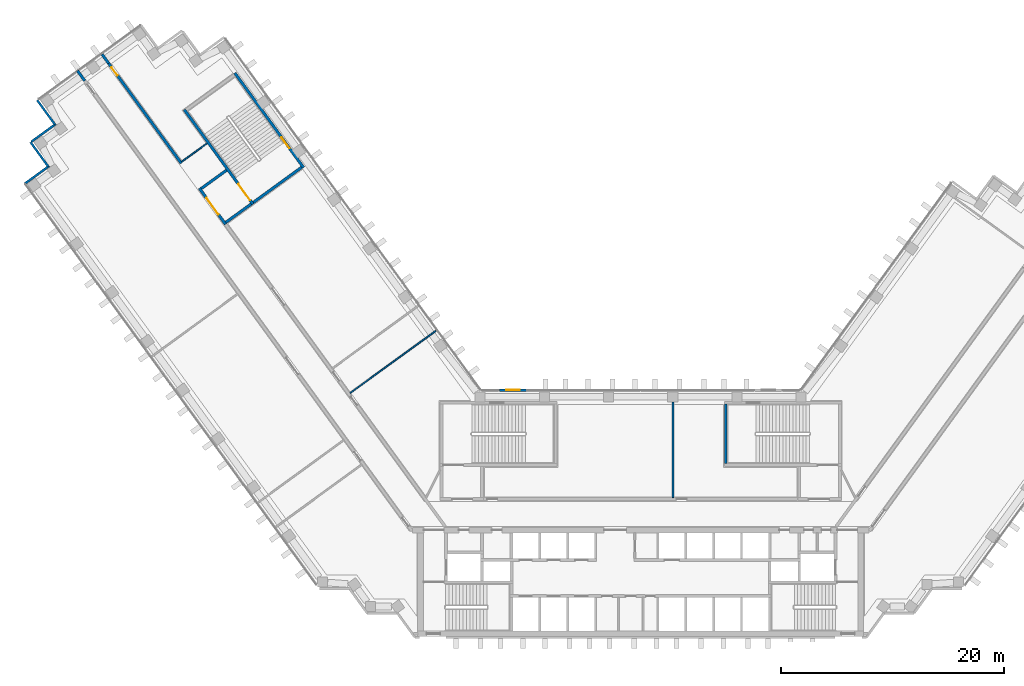
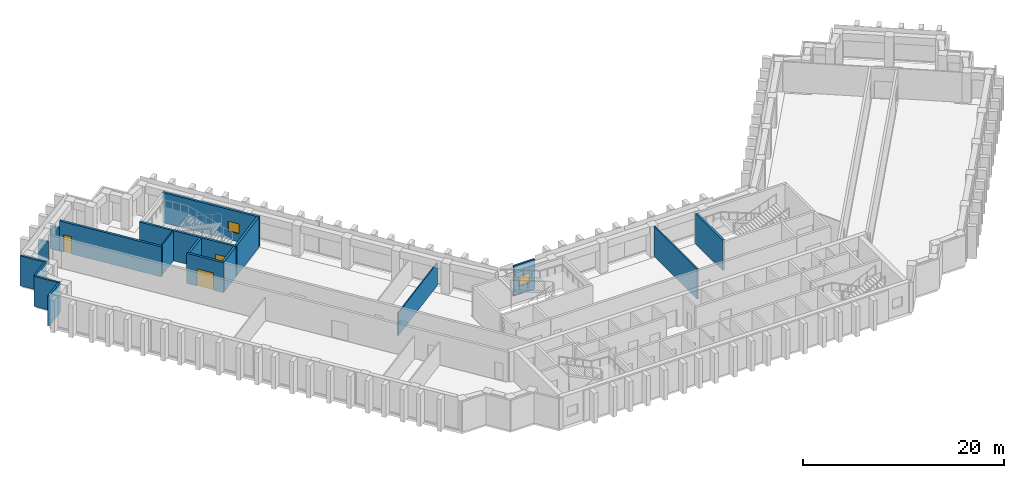
# One storey, part 8 of 13: 18 walls, 3 doors, 2 windows, 5 openings.
"""IFC4 building model written with IfcOpenShell, lengths in metres."""

from ifc_helpers import new_model, si_unit, direction, frame, frame_2d, origin, place, context, subcontext, project, spatial, rectangle, extrude, material, layer, layer_set, type_object, element, fill, save


model = new_model("IFC4")

# Units and contexts
model_context = context("Model", 3, precision=1e-05, world=origin(), true_north=direction((0.0, 1.0)))
body_context = subcontext(model_context, "Body", "Model", "MODEL_VIEW")
ifc_project = project(units=[si_unit("LENGTHUNIT", "METRE"), si_unit("AREAUNIT", "SQUARE_METRE"), si_unit("VOLUMEUNIT", "CUBIC_METRE"), si_unit("PLANEANGLEUNIT", "RADIAN"), si_unit("MASSUNIT", "GRAM", prefix="KILO")], contexts=[model_context])

# Site, building, storey
site_placement = place(None, origin())
site = spatial("IfcSite", under=ifc_project, at=site_placement, CompositionType="ELEMENT")
building_placement = place(site_placement, origin())
building = spatial("IfcBuilding", under=site, at=building_placement, Name="Quipu Civic Tower", CompositionType="ELEMENT")
storey_placement = place(building_placement, frame((0.0, 0.0, 85.0)))
storey = spatial("IfcBuildingStorey", under=building, at=storey_placement, Name="L19", CompositionType="ELEMENT", Elevation=85.0)

# Walls
ifc_material_1 = material(Name="Double gypsum plasterboard with mineral wool")
ifc_layer_1 = layer(ifc_material_1, 0.14990234375)
ifc_layer_set_1 = layer_set([ifc_layer_1], Name="Double gypsum plasterboard with mineral wool")
wall_type_1 = type_object("IfcWallType", Name="Acoustic partition 150 plasterboard", PredefinedType="PARTITIONING", material=ifc_layer_set_1)
wall_1_placement = place(storey_placement, frame((2.89892578125, 10.044921875, 0.0), z_axis=(0.0, 0.0, 1.0), x_axis=(0.0, -1.0, 0.0)))
element("IfcWall", 1, at=wall_1_placement, inside=storey, type_object=wall_type_1, Name="Partition P01", PredefinedType="PARTITIONING", context=body_context, shape_type="SweptSolid", body=[
    extrude(rectangle(XDim=8.594970703125, YDim=0.14990234375, at=frame_2d((4.29736328125, 0.0))), origin(), (0.0, 0.0, 1.0), 3.64990234375),
])
ifc_material_2 = material(Name="Concrete C70/85", Category="concrete")
ifc_layer_2 = layer(ifc_material_2, 0.25)
ifc_layer_set_2 = layer_set([ifc_layer_2], Name="Concrete C70/85")
wall_type_2 = type_object("IfcWallType", Name="Core wall 250", PredefinedType="SHEAR", material=ifc_layer_set_2)
wall_2_placement = place(storey_placement, frame((7.625, 4.5, 0.0), z_axis=(0.0, 0.0, 1.0), x_axis=(0.0, 1.0, 0.0)))
element("IfcWall", 2, at=wall_2_placement, inside=storey, type_object=wall_type_2, Name="Core wall", PredefinedType="SHEAR", context=body_context, shape_type="SweptSolid", body=[
    extrude(rectangle(XDim=5.35009765625, YDim=0.25, at=frame_2d((2.675048828125, 0.0))), origin(), (0.0, 0.0, 1.0), 3.64990234375),
])

# Wall, opening, window
wall_3_placement = place(storey_placement, frame((-30.239501953125, 31.06396484375, 0.0), z_axis=(0.0, 0.0, 1.0), x_axis=(-0.587795589702, 0.809009483706, 0.0)))
wall_3 = element("IfcWall", 3, at=wall_3_placement, inside=storey, type_object=wall_type_2, Name="Core wall", PredefinedType="SHEAR", context=body_context, shape_type="SweptSolid", body=[
    extrude(rectangle(XDim=10.5, YDim=0.25, at=frame_2d((5.25, 0.0))), origin(), (0.0, 0.0, 1.0), 3.64990234375),
])
opening_1_placement = place(wall_3_placement, frame((2.14990234375, 0.0, 1.0)))
opening_1 = element("IfcOpeningElement", 4, at=opening_1_placement, cuts=wall_3, Name="Opening SV-6", PredefinedType="OPENING", context=body_context, shape_type="SweptSolid", body=[
    extrude(rectangle(XDim=1.199951171875, YDim=1.199951171875, at=frame_2d((0.60009765625, 0.60009765625))), frame((0.0, 0.135009765625, 0.0), z_axis=(0.0, -1.0, 0.0), x_axis=(1.0, 0.0, 0.0)), (0.0, 0.0, 1.0), 0.27001953125),
])
ifc_material_3 = material(Name="Aluminium louvre", Category="aluminium")
window_type_1 = type_object("IfcWindowType", Name="Stair ventilation louvre 1200 x 1200", PartitioningType="SINGLE_PANEL", PredefinedType="WINDOW", material=ifc_material_3)
window_1_placement = place(opening_1_placement, origin())
window_1 = element("IfcWindow", 5, at=window_1_placement, inside=storey, type_object=window_type_1, Name="Stair ventilation opening", OverallHeight=1.199951171875, OverallWidth=1.199951171875, PartitioningType="SINGLE_PANEL", PredefinedType="WINDOW", context=body_context, shape_type="SweptSolid", body=[
    extrude(rectangle(XDim=1.199951171875, YDim=1.199951171875, at=frame_2d((0.60009765625, 0.60009765625))), frame((0.0, 0.030029296875, 0.0), z_axis=(0.0, -1.0, 0.0), x_axis=(1.0, 0.0, 0.0)), (0.0, 0.0, 1.0), 0.06005859375),
])
fill(opening_1, window_1)

# Wall
wall_4_placement = place(storey_placement, frame((-30.414306640625, 31.091796875, 0.0), z_axis=(0.0, 0.0, 1.0), x_axis=(-0.8089984606, -0.587810760999, 0.0)))
element("IfcWall", 6, at=wall_4_placement, inside=storey, type_object=wall_type_2, Name="Core wall", PredefinedType="SHEAR", context=body_context, shape_type="SweptSolid", body=[
    extrude(rectangle(XDim=5.35009765625, YDim=0.25, at=frame_2d((2.675048828125, 0.0))), origin(), (0.0, 0.0, 1.0), 3.64990234375),
])

# Wall, opening, door
wall_5_placement = place(storey_placement, frame((-40.94189453125, 36.26708984375, 0.0), z_axis=(0.0, 0.0, 1.0), x_axis=(0.587795589702, -0.809009483706, 0.0)))
wall_5 = element("IfcWall", 7, at=wall_5_placement, inside=storey, type_object=wall_type_2, Name="Core wall", PredefinedType="SHEAR", context=body_context, shape_type="SweptSolid", body=[
    extrude(rectangle(XDim=10.5, YDim=0.25, at=frame_2d((5.25, 0.0))), origin(), (0.0, 0.0, 1.0), 3.64990234375),
])
opening_2_placement = place(wall_5_placement, frame((8.25, 0.0, 0.0)))
opening_2 = element("IfcOpeningElement", 8, at=opening_2_placement, cuts=wall_5, Name="Opening CD-19", PredefinedType="OPENING", context=body_context, shape_type="SweptSolid", body=[
    extrude(rectangle(XDim=1.800048828125, YDim=2.10009765625, at=frame_2d((0.89990234375, 1.050048828125))), frame((0.0, 0.135009765625, 0.0), z_axis=(0.0, -1.0, 0.0), x_axis=(1.0, 0.0, 0.0)), (0.0, 0.0, 1.0), 0.27001953125),
])
ifc_material_4 = material(Name="Fire rated steel door", Category="steel")
door_type_1 = type_object("IfcDoorType", Name="Fire door FD90 double 1800 x 2100", OperationType="NOTDEFINED", PredefinedType="DOOR", material=ifc_material_4)
door_1_placement = place(opening_2_placement, origin())
door_1 = element("IfcDoor", 9, at=door_1_placement, inside=storey, type_object=door_type_1, Name="Door", OperationType="DOUBLE_DOOR_SINGLE_SWING", OverallHeight=2.10009765625, OverallWidth=1.800048828125, PredefinedType="DOOR", context=body_context, shape_type="SweptSolid", body=[
    extrude(rectangle(XDim=1.800048828125, YDim=2.10009765625, at=frame_2d((0.89990234375, 1.050048828125))), frame((0.0, 0.02490234375, 0.0), z_axis=(0.0, -1.0, 0.0), x_axis=(1.0, 0.0, 0.0)), (0.0, 0.0, 1.0), 0.050048828125),
])
fill(opening_2, door_1)

# Walls
for number, where, z_axis, x_axis, name in (
    (10, (-34.944580078125, 27.800048828125, 0.0), (0.0, 0.0, 1.0), (-0.809041377956, -0.587751689708, 0.0), "Core wall"),
    (11, (-37.14892578125, 30.833984375, 0.0), (0.0, 0.0, 1.0), (-0.808969789945, -0.58785021813, 0.0), "Core wall"),
):
    element("IfcWall", number, at=place(storey_placement, frame(where, z_axis=z_axis, x_axis=x_axis)), inside=storey, type_object=wall_type_2, Name=name, PredefinedType="SHEAR", context=body_context, shape_type="SweptSolid", body=[
        extrude(rectangle(XDim=2.800048828125, YDim=0.25, at=frame_2d((1.39990234375, 0.0))), origin(), (0.0, 0.0, 1.0), 3.64990234375),
    ])

# Wall, opening, door
wall_6_placement = place(storey_placement, frame((-39.588623046875, 29.2158203125, 0.0), z_axis=(0.0, 0.0, 1.0), x_axis=(0.587772420479, -0.809026317077, 0.0)))
wall_6 = element("IfcWall", 12, at=wall_6_placement, inside=storey, type_object=wall_type_2, Name="Core wall", PredefinedType="SHEAR", context=body_context, shape_type="SweptSolid", body=[
    extrude(rectangle(XDim=4.0, YDim=0.25, at=frame_2d((2.0, 0.0))), origin(), (0.0, 0.0, 1.0), 3.64990234375),
])
opening_3_placement = place(wall_6_placement, frame((1.10009765625, 0.0, 0.0)))
opening_3 = element("IfcOpeningElement", 13, at=opening_3_placement, cuts=wall_6, Name="Opening CD-20", PredefinedType="OPENING", context=body_context, shape_type="SweptSolid", body=[
    extrude(rectangle(XDim=1.800048828125, YDim=2.10009765625, at=frame_2d((0.89990234375, 1.050048828125))), frame((0.0, 0.135009765625, 0.0), z_axis=(0.0, -1.0, 0.0), x_axis=(1.0, 0.0, 0.0)), (0.0, 0.0, 1.0), 0.27001953125),
])
door_2_placement = place(opening_3_placement, origin())
door_2 = element("IfcDoor", 14, at=door_2_placement, inside=storey, type_object=door_type_1, Name="Lobby door", OperationType="DOUBLE_DOOR_SINGLE_SWING", OverallHeight=2.10009765625, OverallWidth=1.800048828125, PredefinedType="DOOR", context=body_context, shape_type="SweptSolid", body=[
    extrude(rectangle(XDim=1.800048828125, YDim=2.10009765625, at=frame_2d((0.89990234375, 1.050048828125))), frame((0.0, 0.02490234375, 0.0), z_axis=(0.0, -1.0, 0.0), x_axis=(1.0, 0.0, 0.0)), (0.0, 0.0, 1.0), 0.050048828125),
])
fill(opening_3, door_2)

ifc_material_5 = material(Name="Concrete C50/60", Category="concrete")
ifc_layer_3 = layer(ifc_material_5, 0.25)
ifc_layer_set_3 = layer_set([ifc_layer_3], Name="Concrete C50/60")
wall_type_3 = type_object("IfcWallType", Name="Corridor wall 250 concrete", PredefinedType="SOLIDWALL", material=ifc_layer_set_3)
wall_7_placement = place(storey_placement, frame((-47.724853515625, 40.414306640625, 0.0), z_axis=(0.0, 0.0, 1.0), x_axis=(0.587773291021, -0.809025684612, 0.0)))
wall_7 = element("IfcWall", 15, at=wall_7_placement, inside=storey, type_object=wall_type_3, Name="Corridor wall C02", PredefinedType="SOLIDWALL", context=body_context, shape_type="SweptSolid", body=[
    extrude(rectangle(XDim=11.07861328125, YDim=0.25, at=frame_2d((5.539306640625, 0.0))), origin(), (0.0, 0.0, 1.0), 3.64990234375),
])
opening_4_placement = place(wall_7_placement, frame((0.442138671875, 0.0, 0.0)))
opening_4 = element("IfcOpeningElement", 16, at=opening_4_placement, cuts=wall_7, Name="Opening D008", PredefinedType="OPENING", context=body_context, shape_type="SweptSolid", body=[
    extrude(rectangle(XDim=0.89990234375, YDim=2.10009765625, at=frame_2d((0.449951171875, 1.050048828125))), frame((0.0, 0.135009765625, 0.0), z_axis=(0.0, -1.0, 0.0), x_axis=(1.0, 0.0, 0.0)), (0.0, 0.0, 1.0), 0.27001953125),
])
ifc_material_6 = material(Name="Fire rated timber door set with metal frame", Category="wood")
door_type_2 = type_object("IfcDoorType", Name="Single door 900 x 2100 FD60", OperationType="NOTDEFINED", PredefinedType="DOOR", material=ifc_material_6)
door_3_placement = place(opening_4_placement, origin())
door_3 = element("IfcDoor", 17, at=door_3_placement, inside=storey, type_object=door_type_2, Name="Door D008", OperationType="SINGLE_SWING_LEFT", OverallHeight=2.10009765625, OverallWidth=0.89990234375, PredefinedType="DOOR", context=body_context, shape_type="SweptSolid", body=[
    extrude(rectangle(XDim=0.89990234375, YDim=2.10009765625, at=frame_2d((0.449951171875, 1.050048828125))), frame((0.0, 0.02490234375, 0.0), z_axis=(0.0, -1.0, 0.0), x_axis=(1.0, 0.0, 0.0)), (0.0, 0.0, 1.0), 0.050048828125),
])
fill(opening_4, door_3)

# Walls
wall_8_placement = place(storey_placement, frame((-49.86865234375, 38.8564453125, 0.0), z_axis=(0.0, 0.0, 1.0), x_axis=(-0.587674273289, 0.809097613712, 0.0)))
element("IfcWall", 18, at=wall_8_placement, inside=storey, type_object=wall_type_3, Name="Corridor wall C01", PredefinedType="SOLIDWALL", context=body_context, shape_type="SweptSolid", body=[
    extrude(rectangle(XDim=1.109130859375, YDim=0.25, at=frame_2d((0.5546875, 0.0))), origin(), (0.0, 0.0, 1.0), 2.75),
])
wall_9_placement = place(storey_placement, frame((-47.724853515625, 40.414306640625, 0.0), z_axis=(0.0, 0.0, 1.0), x_axis=(-0.587840411638, 0.808976915892, 0.0)))
element("IfcWall", 19, at=wall_9_placement, inside=storey, type_object=wall_type_3, Name="Corridor wall C02", PredefinedType="SOLIDWALL", context=body_context, shape_type="SweptSolid", body=[
    extrude(rectangle(XDim=1.008056640625, YDim=0.25, at=frame_2d((0.50390625, 0.0))), origin(), (0.0, 0.0, 1.0), 2.75),
])
ifc_material_7 = material(Name="Gypsum plasterboard on light gauge framing")
ifc_layer_4 = layer(ifc_material_7, 0.1201171875)
ifc_layer_set_4 = layer_set([ifc_layer_4], Name="Gypsum plasterboard on light gauge framing")
wall_type_4 = type_object("IfcWallType", Name="Partition 120 plasterboard", PredefinedType="PARTITIONING", material=ifc_layer_set_4)
wall_10_placement = place(storey_placement, frame((-18.350830078125, 16.444580078125, 0.0), z_axis=(0.0, 0.0, 1.0), x_axis=(-0.809052142986, -0.587736871338, 0.0)))
element("IfcWall", 20, at=wall_10_placement, inside=storey, type_object=wall_type_4, Name="Partition P02", PredefinedType="PARTITIONING", context=body_context, shape_type="SweptSolid", body=[
    extrude(rectangle(XDim=9.5498046875, YDim=0.1201171875, at=frame_2d((4.77490234375, 0.0))), origin(), (0.0, 0.0, 1.0), 2.75),
])
wall_11_placement = place(storey_placement, frame((-41.166015625, 31.59912109375, 0.0), z_axis=(0.0, 0.0, 1.0), x_axis=(0.809090262332, 0.587684394381, 0.0)))
element("IfcWall", 21, at=wall_11_placement, inside=storey, type_object=wall_type_4, Name="Partition P09", PredefinedType="PARTITIONING", context=body_context, shape_type="SweptSolid", body=[
    extrude(rectangle(XDim=2.80078125, YDim=0.1201171875, at=frame_2d((1.400390625, 0.0))), origin(), (0.0, 0.0, 1.0), 3.64990234375),
])

# Wall, opening, window
ifc_material_8 = material(Name="Precast concrete C40/50", Category="concrete")
wall_type_5 = type_object("IfcWallType", Name="Precast cladding wall", PredefinedType="SOLIDWALL", material=ifc_material_8)
wall_12_placement = place(storey_placement, frame((-10.263427734375, 11.10009765625, 0.0), z_axis=(0.0, 0.0, 1.0), x_axis=(-1.0, 0.0, 0.0)))
wall_12 = element("IfcWall", 22, at=wall_12_placement, inside=storey, type_object=wall_type_5, Name="Vent surround SF-L19-1", PredefinedType="SOLIDWALL", context=body_context, shape_type="SweptSolid", body=[
    extrude(rectangle(XDim=2.3916015625, YDim=0.199951171875, at=frame_2d((1.19580078125, 0.0))), origin(), (0.0, 0.0, 1.0), 3.64990234375),
])
opening_5_placement = place(wall_12_placement, frame((0.595703125, 0.0, 1.0)))
opening_5 = element("IfcOpeningElement", 23, at=opening_5_placement, cuts=wall_12, Name="Opening SF-L19-1", PredefinedType="OPENING", context=body_context, shape_type="SweptSolid", body=[
    extrude(rectangle(XDim=1.199951171875, YDim=1.199951171875, at=frame_2d((0.60009765625, 0.60009765625))), frame((0.0, 0.10986328125, 0.0), z_axis=(0.0, -1.0, 0.0), x_axis=(1.0, 0.0, 0.0)), (0.0, 0.0, 1.0), 0.219970703125),
])
ifc_material_9 = material(Name="Anodised aluminium louvre", Category="aluminium")
window_type_2 = type_object("IfcWindowType", Name="Stair vent louvre window P3", PartitioningType="SINGLE_PANEL", PredefinedType="WINDOW", material=ifc_material_9)
window_2_placement = place(opening_5_placement, origin())
window_2 = element("IfcWindow", 24, at=window_2_placement, inside=storey, type_object=window_type_2, Name="Stair vent louvre SF-L19-1", OverallHeight=1.199951171875, OverallWidth=1.199951171875, PartitioningType="SINGLE_PANEL", PredefinedType="WINDOW", context=body_context, shape_type="SweptSolid", body=[
    extrude(rectangle(XDim=1.199951171875, YDim=1.199951171875, at=frame_2d((0.60009765625, 0.60009765625))), frame((0.0, 0.030029296875, 0.0), z_axis=(0.0, -1.0, 0.0), x_axis=(1.0, 0.0, 0.0)), (0.0, 0.0, 1.0), 0.06005859375),
])
fill(opening_5, window_2)

# Walls
for number, where, z_axis, x_axis, name in (
    (25, (-54.140380859375, 37.12255859375, 0.0), (0.0, 0.0, 1.0), (0.587822180636, -0.808990163075, 0.0), "Precast cladding wall L19 23"),
    (26, (-52.46533203125, 34.9873046875, 0.0), (0.0, 0.0, 1.0), (-0.809033161865, -0.587762999008, 0.0), "Precast cladding wall L19 24"),
):
    element("IfcWall", number, at=place(storey_placement, frame(where, z_axis=z_axis, x_axis=x_axis)), inside=storey, type_object=wall_type_5, Name=name, PredefinedType="SOLIDWALL", context=body_context, shape_type="SweptSolid", body=[
        extrude(rectangle(XDim=2.699951171875, YDim=0.199951171875, at=frame_2d((1.35009765625, 0.0))), origin(), (0.0, 0.0, 1.0), 3.64990234375),
    ])
wall_13_placement = place(storey_placement, frame((-54.73779296875, 33.351318359375, 0.0), z_axis=(0.0, 0.0, 1.0), x_axis=(0.587779184282, -0.809021403008, 0.0)))
element("IfcWall", 27, at=wall_13_placement, inside=storey, type_object=wall_type_5, Name="Precast cladding wall L19 25", PredefinedType="SOLIDWALL", context=body_context, shape_type="SweptSolid", body=[
    extrude(rectangle(XDim=2.7001953125, YDim=0.199951171875, at=frame_2d((1.35009765625, 0.0))), origin(), (0.0, 0.0, 1.0), 3.64990234375),
])
wall_14_placement = place(storey_placement, frame((-53.062744140625, 31.2158203125, 0.0), z_axis=(0.0, 0.0, 1.0), x_axis=(-0.809033161865, -0.587762999008, 0.0)))
element("IfcWall", 28, at=wall_14_placement, inside=storey, type_object=wall_type_5, Name="Precast cladding wall L19 26", PredefinedType="SOLIDWALL", context=body_context, shape_type="SweptSolid", body=[
    extrude(rectangle(XDim=2.699951171875, YDim=0.199951171875, at=frame_2d((1.35009765625, 0.0))), origin(), (0.0, 0.0, 1.0), 3.64990234375),
])

save(model, "model.ifc")
